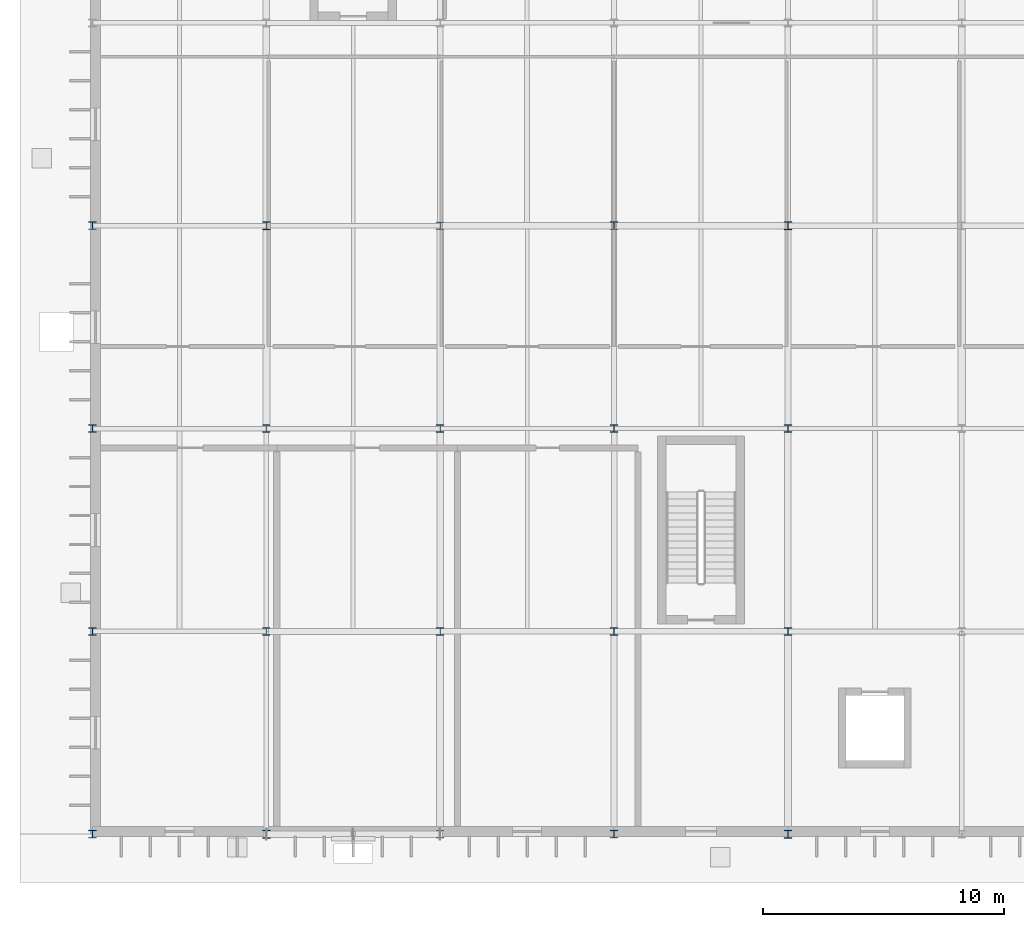
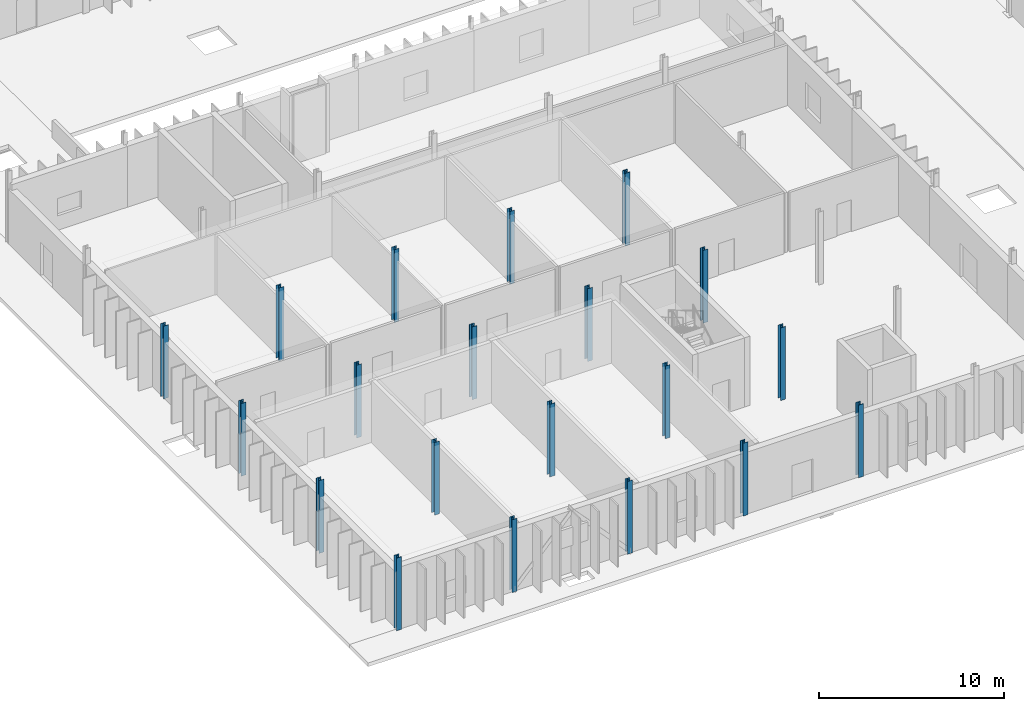
# One storey, part 8 of 118: 20 columns.
"""IFC4 building model written with IfcOpenShell, lengths in metres."""

from ifc_helpers import new_model, si_unit, direction, frame, origin, origin_2d, place, context, subcontext, project, spatial, i_section, extrude, material, material_profile, profile_set, type_object, element, save


model = new_model("IFC4")

# Units and contexts
model_context = context("Model", 3, precision=1e-05, world=origin(), true_north=direction((0.0, 1.0)))
body_context = subcontext(model_context, "Body", "Model", "MODEL_VIEW")
ifc_project = project(units=[si_unit("LENGTHUNIT", "METRE"), si_unit("AREAUNIT", "SQUARE_METRE"), si_unit("VOLUMEUNIT", "CUBIC_METRE"), si_unit("PLANEANGLEUNIT", "RADIAN"), si_unit("MASSUNIT", "GRAM", prefix="KILO")], contexts=[model_context])

# Site, building, storey
site_placement = place(None, origin())
site = spatial("IfcSite", under=ifc_project, at=site_placement, CompositionType="ELEMENT")
building_placement = place(site_placement, origin())
building = spatial("IfcBuilding", under=site, at=building_placement, Name="Qelthora Terrace Specialist Clinic", CompositionType="ELEMENT")
storey_placement = place(building_placement, origin())
storey = spatial("IfcBuildingStorey", under=building, at=storey_placement, Name="L00", CompositionType="ELEMENT", Elevation=0.0)

# Columns
ifc_material = material(Name="Steel S355", Category="steel")
ifc_material_profile_1 = material_profile(ifc_material, i_section(OverallWidth=0.305908203125, OverallDepth=0.31103515625, WebThickness=0.010986328125, FlangeThickness=0.01708984375, FilletRadius=0.014892578125, at=origin_2d()), Name="W310X107")
ifc_profile_set_1 = profile_set([ifc_material_profile_1], Name="Steel S355")
column_type_1 = type_object("IfcColumnType", Name="COL-W310X107", PredefinedType="COLUMN", material=ifc_profile_set_1)
for number, where, z_axis, x_axis, name in (
    (1, (0.0, 0.0, 0.0), (0.0, 0.0, 1.0), (1.0, 0.0, 0.0), "Column L00-001"),
    (2, (0.0, 25.199951171875, 0.0), (0.0, 0.0, 1.0), (1.0, 0.0, 0.0), "Column L00-004"),
    (3, (7.199951171875, 8.39990234375, 0.0), (0.0, 0.0, 1.0), (1.0, 0.0, 0.0), "Column L00-016"),
    (4, (14.39990234375, 16.800048828125, 0.0), (0.0, 0.0, 1.0), (1.0, 0.0, 0.0), "Column L00-031"),
    (5, (21.60009765625, 0.0, 0.0), (0.0, 0.0, 1.0), (1.0, 0.0, 0.0), "Column L00-043"),
    (6, (21.60009765625, 25.199951171875, 0.0), (0.0, 0.0, 1.0), (1.0, 0.0, 0.0), "Column L00-046"),
    (7, (28.800048828125, 8.39990234375, 0.0), (0.0, 0.0, 1.0), (1.0, 0.0, 0.0), "Column L00-055"),
):
    element("IfcColumn", number, at=place(storey_placement, frame(where, z_axis=z_axis, x_axis=x_axis)), inside=storey, type_object=column_type_1, Name=name, PredefinedType="COLUMN", context=body_context, shape_type="SweptSolid", body=[
        extrude(i_section(OverallWidth=0.305908203125, OverallDepth=0.31103515625, WebThickness=0.010986328125, FlangeThickness=0.01708984375, FilletRadius=0.014892578125, at=origin_2d()), origin(), (0.0, 0.0, 1.0), 4.800048828125),
    ])
ifc_material_profile_2 = material_profile(ifc_material, i_section(OverallWidth=0.306884765625, OverallDepth=0.31396484375, WebThickness=0.011962890625, FlangeThickness=0.018798828125, FilletRadius=0.01611328125, at=origin_2d()), Name="W310X118")
ifc_profile_set_2 = profile_set([ifc_material_profile_2], Name="Steel S355")
column_type_2 = type_object("IfcColumnType", Name="COL-W310X118", PredefinedType="COLUMN", material=ifc_profile_set_2)
for number, where, z_axis, x_axis, name in (
    (8, (0.0, 16.800048828125, 0.0), (0.0, 0.0, 1.0), (1.0, 0.0, 0.0), "Column L00-003"),
    (9, (7.199951171875, 0.0, 0.0), (0.0, 0.0, 1.0), (1.0, 0.0, 0.0), "Column L00-015"),
    (10, (7.199951171875, 25.199951171875, 0.0), (0.0, 0.0, 1.0), (1.0, 0.0, 0.0), "Column L00-018"),
    (11, (14.39990234375, 8.39990234375, 0.0), (0.0, 0.0, 1.0), (1.0, 0.0, 0.0), "Column L00-030"),
    (12, (21.60009765625, 16.800048828125, 0.0), (0.0, 0.0, 1.0), (1.0, 0.0, 0.0), "Column L00-045"),
    (13, (28.800048828125, 0.0, 0.0), (0.0, 0.0, 1.0), (1.0, 0.0, 0.0), "Column L00-054"),
    (14, (28.800048828125, 25.199951171875, 0.0), (0.0, 0.0, 1.0), (1.0, 0.0, 0.0), "Column L00-057"),
):
    element("IfcColumn", number, at=place(storey_placement, frame(where, z_axis=z_axis, x_axis=x_axis)), inside=storey, type_object=column_type_2, Name=name, PredefinedType="COLUMN", context=body_context, shape_type="SweptSolid", body=[
        extrude(i_section(OverallWidth=0.306884765625, OverallDepth=0.31396484375, WebThickness=0.011962890625, FlangeThickness=0.018798828125, FilletRadius=0.01611328125, at=origin_2d()), origin(), (0.0, 0.0, 1.0), 4.800048828125),
    ])
ifc_material_profile_3 = material_profile(ifc_material, i_section(OverallWidth=0.304931640625, OverallDepth=0.30810546875, WebThickness=0.010009765625, FlangeThickness=0.015380859375, FilletRadius=0.014892578125, at=origin_2d()), Name="W310X97")
ifc_profile_set_3 = profile_set([ifc_material_profile_3], Name="Steel S355")
column_type_3 = type_object("IfcColumnType", Name="COL-W310X97", PredefinedType="COLUMN", material=ifc_profile_set_3)
for number, where, z_axis, x_axis, name in (
    (15, (0.0, 8.39990234375, 0.0), (0.0, 0.0, 1.0), (1.0, 0.0, 0.0), "Column L00-002"),
    (16, (7.199951171875, 16.800048828125, 0.0), (0.0, 0.0, 1.0), (1.0, 0.0, 0.0), "Column L00-017"),
    (17, (14.39990234375, 0.0, 0.0), (0.0, 0.0, 1.0), (1.0, 0.0, 0.0), "Column L00-029"),
    (18, (14.39990234375, 25.199951171875, 0.0), (0.0, 0.0, 1.0), (1.0, 0.0, 0.0), "Column L00-032"),
    (19, (21.60009765625, 8.39990234375, 0.0), (0.0, 0.0, 1.0), (1.0, 0.0, 0.0), "Column L00-044"),
    (20, (28.800048828125, 16.800048828125, 0.0), (0.0, 0.0, 1.0), (1.0, 0.0, 0.0), "Column L00-056"),
):
    element("IfcColumn", number, at=place(storey_placement, frame(where, z_axis=z_axis, x_axis=x_axis)), inside=storey, type_object=column_type_3, Name=name, PredefinedType="COLUMN", context=body_context, shape_type="SweptSolid", body=[
        extrude(i_section(OverallWidth=0.304931640625, OverallDepth=0.30810546875, WebThickness=0.010009765625, FlangeThickness=0.015380859375, FilletRadius=0.014892578125, at=origin_2d()), origin(), (0.0, 0.0, 1.0), 4.800048828125),
    ])

save(model, "model.ifc")
